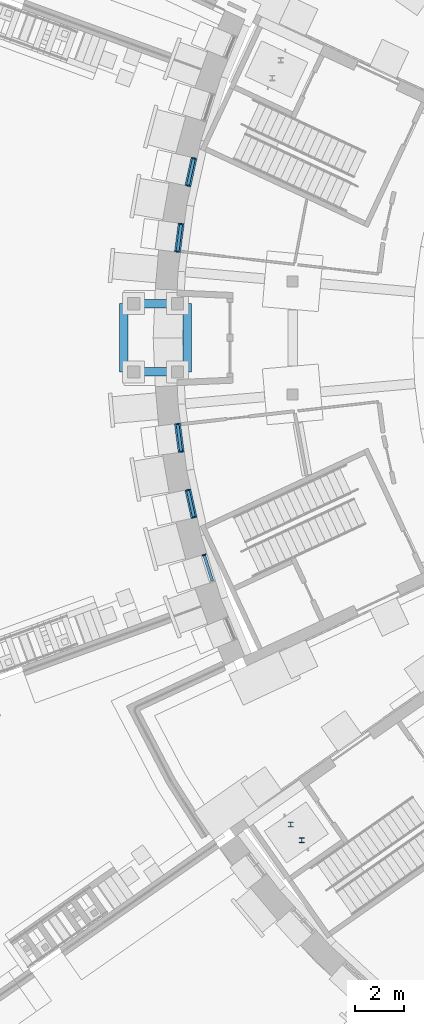
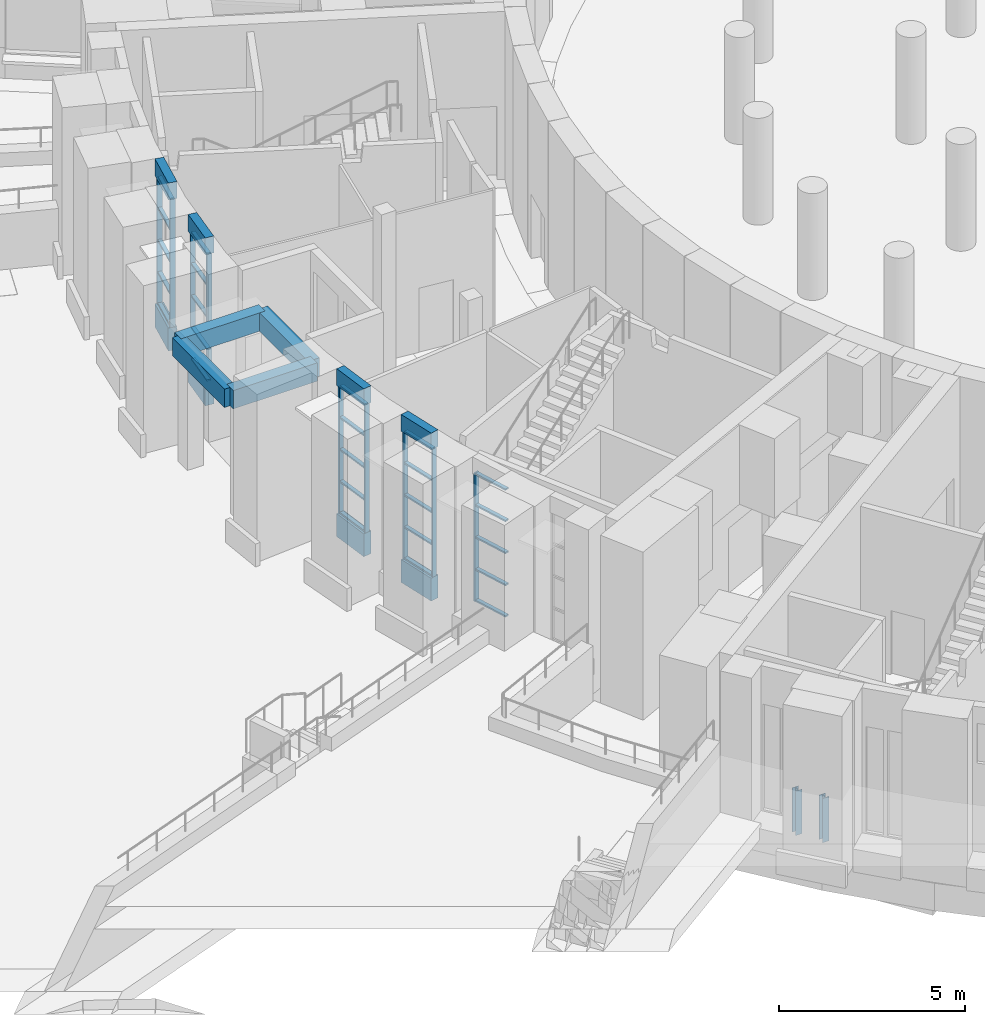
# One storey, part 12 of 65: 36 members, 12 beams, 5 elements without a shape of their own.
"""IFC4 building model written with IfcOpenShell, lengths in metres."""

from ifc_helpers import new_model, si_unit, direction, frame, origin, origin_2d, place, context, subcontext, project, spatial, rectangle, i_section, extrude, material, layer, layer_set, material_profile, profile_set, type_object, element, aggregate, save


model = new_model("IFC4")

# Units and contexts
model_context = context("Model", 3, precision=1e-05, world=origin(), true_north=direction((0.0, 1.0)))
body_context = subcontext(model_context, "Body", "Model", "MODEL_VIEW")
ifc_project = project(units=[si_unit("LENGTHUNIT", "METRE"), si_unit("AREAUNIT", "SQUARE_METRE"), si_unit("VOLUMEUNIT", "CUBIC_METRE"), si_unit("PLANEANGLEUNIT", "RADIAN"), si_unit("MASSUNIT", "GRAM", prefix="KILO")], contexts=[model_context])

# Site, building, storey
site_placement = place(None, origin())
site = spatial("IfcSite", under=ifc_project, at=site_placement, CompositionType="ELEMENT")
building_placement = place(site_placement, origin())
building = spatial("IfcBuilding", under=site, at=building_placement, Name="Volute Hill Aquarium", CompositionType="ELEMENT")
storey_placement = place(building_placement, frame((0.0, 0.0, -5.5)))
storey = spatial("IfcBuildingStorey", under=building, at=storey_placement, Name="L00", CompositionType="ELEMENT", Elevation=-5.5)

# Beams
ifc_material_1 = material(Name="Concrete C35/45", Category="concrete")
ifc_material_profile_1 = material_profile(ifc_material_1, rectangle(XDim=0.35009765625, YDim=0.60009765625, at=origin_2d()), Name="RC edge beam 350x600")
ifc_profile_set_1 = profile_set([ifc_material_profile_1], Name="Concrete C35/45")
beam_type_1 = type_object("IfcBeamType", Name="Canopy edge beam RC 350x600", PredefinedType="BEAM", material=ifc_profile_set_1)
for number, where, z_axis, x_axis, name in (
    (1, (-30.85009765625, 1.39990234375, 4.02001953125), (-1.0, 0.0, 0.0), (0.0, -1.0, 0.0), "cn/S1/L00/b0"),
    (2, (-30.85009765625, -1.39990234375, 4.02001953125), (-1.0, 0.0, 0.0), (0.0, -1.0, 0.0), "cn/S1/L00/b1"),
):
    element("IfcBeam", number, at=place(storey_placement, frame(where, z_axis=z_axis, x_axis=x_axis)), inside=storey, type_object=beam_type_1, Name=name, PredefinedType="BEAM", context=body_context, shape_type="SweptSolid", body=[
        extrude(rectangle(XDim=0.35009765625, YDim=0.60009765625, at=origin_2d()), origin(), (0.0, 0.0, 1.0), 2.599853515625),
    ])
for number, where, z_axis, x_axis, name in (
    (3, (-30.85009765625, 1.39990234375, 4.02001953125), (0.0, -1.0, 0.0), (1.0, 0.0, 0.0), "cn/S1/L00/xrear"),
    (4, (-33.449951171875, 1.39990234375, 4.02001953125), (0.0, -1.0, 0.0), (1.0, 0.0, 0.0), "cn/S1/L00/xfront"),
):
    element("IfcBeam", number, at=place(storey_placement, frame(where, z_axis=z_axis, x_axis=x_axis)), inside=storey, type_object=beam_type_1, Name=name, PredefinedType="BEAM", context=body_context, shape_type="SweptSolid", body=[
        extrude(rectangle(XDim=0.35009765625, YDim=0.60009765625, at=origin_2d()), origin(), (0.0, 0.0, 1.0), 2.7998046875),
    ])

# Curtain wall, members
ifc_material_2 = material(Name="Aluminium", Category="aluminium")
ifc_layer = layer(ifc_material_2, 0.25)
ifc_layer_set = layer_set([ifc_layer], Name="Curtain wall niche S1 module 1193")
curtain_wall_type = type_object("IfcCurtainWallType", Name="Curtain wall niche S1 module 1193", PredefinedType="NOTDEFINED", material=ifc_layer_set)
curtain_wall_1_placement = place(storey_placement, origin())
curtain_wall_1 = element("IfcCurtainWall", 5, at=curtain_wall_1_placement, inside=storey, type_object=curtain_wall_type, Name="Curtain wall CW S1 L00 3", PredefinedType="NOTDEFINED")
ifc_material_3 = material(Name="Aluminium", Category="aluminium")
ifc_material_profile_2 = material_profile(ifc_material_3, rectangle(XDim=0.14990234375, YDim=0.050048828125, at=origin_2d()), Name="Curtain wall mullion S1 50x150")
ifc_profile_set_2 = profile_set([ifc_material_profile_2], Name="Aluminium")
member_type_1 = type_object("IfcMemberType", Name="Curtain wall mullion S1 50x150", PredefinedType="MULLION", material=ifc_profile_set_2)
member_1_placement = place(storey_placement, frame((-30.57568359375, 7.36376953125, 0.75), z_axis=(0.0, 0.0, 1.0), x_axis=(0.976291877741, -0.216458239523, 0.0)))
member_1 = element("IfcMember", 6, at=member_1_placement, type_object=member_type_1, Name="CW mullion 1", PredefinedType="MULLION", context=body_context, shape_type="SweptSolid", body=[
    extrude(rectangle(XDim=0.14990234375, YDim=0.050048828125, at=origin_2d()), origin(), (0.0, 0.0, 1.0), 4.199951171875),
])
member_2_placement = place(storey_placement, frame((-30.822998046875, 6.247802734375, 0.75), z_axis=(0.0, 0.0, 1.0), x_axis=(0.976291877741, -0.216458239523, 0.0)))
member_2 = element("IfcMember", 7, at=member_2_placement, type_object=member_type_1, Name="CW mullion 2", PredefinedType="MULLION", context=body_context, shape_type="SweptSolid", body=[
    extrude(rectangle(XDim=0.14990234375, YDim=0.050048828125, at=origin_2d()), origin(), (0.0, 0.0, 1.0), 4.199951171875),
])

curtain_wall_2_placement = place(storey_placement, origin())
curtain_wall_2 = element("IfcCurtainWall", 8, at=curtain_wall_2_placement, inside=storey, type_object=curtain_wall_type, Name="Curtain wall CW S1 L00 4", PredefinedType="NOTDEFINED")
member_3_placement = place(storey_placement, frame((-31.10107421875, 4.6708984375, 0.75), z_axis=(0.0, 0.0, 1.0), x_axis=(0.991444135436, -0.130531706148, 0.0)))
member_3 = element("IfcMember", 9, at=member_3_placement, type_object=member_type_1, Name="CW mullion 1", PredefinedType="MULLION", context=body_context, shape_type="SweptSolid", body=[
    extrude(rectangle(XDim=0.14990234375, YDim=0.050048828125, at=origin_2d()), origin(), (0.0, 0.0, 1.0), 4.199951171875),
])
member_4_placement = place(storey_placement, frame((-31.250244140625, 3.53759765625, 0.75), z_axis=(0.0, 0.0, 1.0), x_axis=(0.991444135436, -0.130531706148, 0.0)))
member_4 = element("IfcMember", 10, at=member_4_placement, type_object=member_type_1, Name="CW mullion 2", PredefinedType="MULLION", context=body_context, shape_type="SweptSolid", body=[
    extrude(rectangle(XDim=0.14990234375, YDim=0.050048828125, at=origin_2d()), origin(), (0.0, 0.0, 1.0), 4.199951171875),
])

curtain_wall_3_placement = place(storey_placement, origin())
curtain_wall_3 = element("IfcCurtainWall", 11, at=curtain_wall_3_placement, inside=storey, type_object=curtain_wall_type, Name="Curtain wall CW S1 L00 7", PredefinedType="NOTDEFINED")
member_5_placement = place(storey_placement, frame((-31.250244140625, -3.537841796875, 0.75), z_axis=(0.0, 0.0, 1.0), x_axis=(0.991445220218, 0.130523466497, 0.0)))
member_5 = element("IfcMember", 12, at=member_5_placement, type_object=member_type_1, Name="CW mullion 1", PredefinedType="MULLION", context=body_context, shape_type="SweptSolid", body=[
    extrude(rectangle(XDim=0.14990234375, YDim=0.050048828125, at=origin_2d()), origin(), (0.0, 0.0, 1.0), 4.199951171875),
])
member_6_placement = place(storey_placement, frame((-31.10107421875, -4.671142578125, 0.75), z_axis=(0.0, 0.0, 1.0), x_axis=(0.991445220218, 0.130523466497, 0.0)))
member_6 = element("IfcMember", 13, at=member_6_placement, type_object=member_type_1, Name="CW mullion 2", PredefinedType="MULLION", context=body_context, shape_type="SweptSolid", body=[
    extrude(rectangle(XDim=0.14990234375, YDim=0.050048828125, at=origin_2d()), origin(), (0.0, 0.0, 1.0), 4.199951171875),
])

curtain_wall_4_placement = place(storey_placement, origin())
curtain_wall_4 = element("IfcCurtainWall", 14, at=curtain_wall_4_placement, inside=storey, type_object=curtain_wall_type, Name="Curtain wall CW S1 L00 8", PredefinedType="NOTDEFINED")
member_7_placement = place(storey_placement, frame((-30.822998046875, -6.248046875, 0.75), z_axis=(0.0, 0.0, 1.0), x_axis=(0.976292270498, 0.216456468061, 0.0)))
member_7 = element("IfcMember", 15, at=member_7_placement, type_object=member_type_1, Name="CW mullion 1", PredefinedType="MULLION", context=body_context, shape_type="SweptSolid", body=[
    extrude(rectangle(XDim=0.14990234375, YDim=0.050048828125, at=origin_2d()), origin(), (0.0, 0.0, 1.0), 4.199951171875),
])
member_8_placement = place(storey_placement, frame((-30.57568359375, -7.36376953125, 0.75), z_axis=(0.0, 0.0, 1.0), x_axis=(0.976292270498, 0.216456468061, 0.0)))
member_8 = element("IfcMember", 16, at=member_8_placement, type_object=member_type_1, Name="CW mullion 2", PredefinedType="MULLION", context=body_context, shape_type="SweptSolid", body=[
    extrude(rectangle(XDim=0.14990234375, YDim=0.050048828125, at=origin_2d()), origin(), (0.0, 0.0, 1.0), 4.199951171875),
])

# Curtain wall, member
curtain_wall_5_placement = place(storey_placement, origin())
curtain_wall_5 = element("IfcCurtainWall", 17, at=curtain_wall_5_placement, inside=storey, type_object=curtain_wall_type, Name="Curtain wall CW S1 L00 9", PredefinedType="NOTDEFINED")
member_9_placement = place(storey_placement, frame((-30.1611328125, -8.91064453125, 0.75), z_axis=(0.0, 0.0, 1.0), x_axis=(0.95371888454, 0.30069966623, 0.0)))
member_9 = element("IfcMember", 18, at=member_9_placement, type_object=member_type_1, Name="CW mullion 1", PredefinedType="MULLION", context=body_context, shape_type="SweptSolid", body=[
    extrude(rectangle(XDim=0.14990234375, YDim=0.050048828125, at=origin_2d()), origin(), (0.0, 0.0, 1.0), 4.199951171875),
])

# Member
ifc_material_4 = material(Name="Aluminium", Category="aluminium")
ifc_material_profile_3 = material_profile(ifc_material_4, rectangle(XDim=0.1201171875, YDim=0.050048828125, at=origin_2d()), Name="Curtain wall transom S1 50x120")
ifc_profile_set_3 = profile_set([ifc_material_profile_3], Name="Aluminium")
member_type_2 = type_object("IfcMemberType", Name="Curtain wall transom S1 50x120", PredefinedType="USERDEFINED", material=ifc_profile_set_3)
member_10_placement = place(storey_placement, frame((-30.5810546875, 7.33935546875, 0.77490234375), z_axis=(-0.216433786926, -0.976297298919, 0.0), x_axis=(0.976297298919, -0.216433786926, 0.0)))
member_10 = element("IfcMember", 19, at=member_10_placement, type_object=member_type_2, Name="CW transom 1.1", ObjectType="TRANSOM", PredefinedType="USERDEFINED", context=body_context, shape_type="SweptSolid", body=[
    extrude(rectangle(XDim=0.1201171875, YDim=0.050048828125, at=origin_2d()), origin(), (0.0, 0.0, 1.0), 1.093017578125),
])

member_11_placement = place(storey_placement, frame((-30.5810546875, 7.33935546875, 1.800048828125), z_axis=(-0.216433786926, -0.976297298919, 0.0), x_axis=(0.976297298919, -0.216433786926, 0.0)))
member_11 = element("IfcMember", 20, at=member_11_placement, type_object=member_type_2, Name="CW transom 1.2", ObjectType="TRANSOM", PredefinedType="USERDEFINED", context=body_context, shape_type="SweptSolid", body=[
    extrude(rectangle(XDim=0.1201171875, YDim=0.050048828125, at=origin_2d()), origin(), (0.0, 0.0, 1.0), 1.093017578125),
])

member_12_placement = place(storey_placement, frame((-30.5810546875, 7.33935546875, 2.85009765625), z_axis=(-0.216433786926, -0.976297298919, 0.0), x_axis=(0.976297298919, -0.216433786926, 0.0)))
member_12 = element("IfcMember", 21, at=member_12_placement, type_object=member_type_2, Name="CW transom 1.3", ObjectType="TRANSOM", PredefinedType="USERDEFINED", context=body_context, shape_type="SweptSolid", body=[
    extrude(rectangle(XDim=0.1201171875, YDim=0.050048828125, at=origin_2d()), origin(), (0.0, 0.0, 1.0), 1.093017578125),
])

member_13_placement = place(storey_placement, frame((-30.5810546875, 7.33935546875, 3.89990234375), z_axis=(-0.216433786926, -0.976297298919, 0.0), x_axis=(0.976297298919, -0.216433786926, 0.0)))
member_13 = element("IfcMember", 22, at=member_13_placement, type_object=member_type_2, Name="CW transom 1.4", ObjectType="TRANSOM", PredefinedType="USERDEFINED", context=body_context, shape_type="SweptSolid", body=[
    extrude(rectangle(XDim=0.1201171875, YDim=0.050048828125, at=origin_2d()), origin(), (0.0, 0.0, 1.0), 1.093017578125),
])

member_14_placement = place(storey_placement, frame((-30.5810546875, 7.33935546875, 4.925048828125), z_axis=(-0.216433786926, -0.976297298919, 0.0), x_axis=(0.976297298919, -0.216433786926, 0.0)))
member_14 = element("IfcMember", 23, at=member_14_placement, type_object=member_type_2, Name="CW transom 1.5", ObjectType="TRANSOM", PredefinedType="USERDEFINED", context=body_context, shape_type="SweptSolid", body=[
    extrude(rectangle(XDim=0.1201171875, YDim=0.050048828125, at=origin_2d()), origin(), (0.0, 0.0, 1.0), 1.093017578125),
])

aggregate(curtain_wall_1, [member_1, member_2, member_10, member_11, member_12, member_13, member_14])

member_15_placement = place(storey_placement, frame((-31.1044921875, 4.64599609375, 0.77490234375), z_axis=(-0.130466070399, -0.991452774707, 0.0), x_axis=(0.991452774707, -0.130466070399, 0.0)))
member_15 = element("IfcMember", 24, at=member_15_placement, type_object=member_type_2, Name="CW transom 1.1", ObjectType="TRANSOM", PredefinedType="USERDEFINED", context=body_context, shape_type="SweptSolid", body=[
    extrude(rectangle(XDim=0.1201171875, YDim=0.050048828125, at=origin_2d()), origin(), (0.0, 0.0, 1.0), 1.0927734375),
])

member_16_placement = place(storey_placement, frame((-31.1044921875, 4.64599609375, 1.800048828125), z_axis=(-0.130466070399, -0.991452774707, 0.0), x_axis=(0.991452774707, -0.130466070399, 0.0)))
member_16 = element("IfcMember", 25, at=member_16_placement, type_object=member_type_2, Name="CW transom 1.2", ObjectType="TRANSOM", PredefinedType="USERDEFINED", context=body_context, shape_type="SweptSolid", body=[
    extrude(rectangle(XDim=0.1201171875, YDim=0.050048828125, at=origin_2d()), origin(), (0.0, 0.0, 1.0), 1.0927734375),
])

member_17_placement = place(storey_placement, frame((-31.1044921875, 4.64599609375, 2.85009765625), z_axis=(-0.130466070399, -0.991452774707, 0.0), x_axis=(0.991452774707, -0.130466070399, 0.0)))
member_17 = element("IfcMember", 26, at=member_17_placement, type_object=member_type_2, Name="CW transom 1.3", ObjectType="TRANSOM", PredefinedType="USERDEFINED", context=body_context, shape_type="SweptSolid", body=[
    extrude(rectangle(XDim=0.1201171875, YDim=0.050048828125, at=origin_2d()), origin(), (0.0, 0.0, 1.0), 1.0927734375),
])

member_18_placement = place(storey_placement, frame((-31.1044921875, 4.64599609375, 3.89990234375), z_axis=(-0.130466070399, -0.991452774707, 0.0), x_axis=(0.991452774707, -0.130466070399, 0.0)))
member_18 = element("IfcMember", 27, at=member_18_placement, type_object=member_type_2, Name="CW transom 1.4", ObjectType="TRANSOM", PredefinedType="USERDEFINED", context=body_context, shape_type="SweptSolid", body=[
    extrude(rectangle(XDim=0.1201171875, YDim=0.050048828125, at=origin_2d()), origin(), (0.0, 0.0, 1.0), 1.0927734375),
])

member_19_placement = place(storey_placement, frame((-31.1044921875, 4.64599609375, 4.925048828125), z_axis=(-0.130466070399, -0.991452774707, 0.0), x_axis=(0.991452774707, -0.130466070399, 0.0)))
member_19 = element("IfcMember", 28, at=member_19_placement, type_object=member_type_2, Name="CW transom 1.5", ObjectType="TRANSOM", PredefinedType="USERDEFINED", context=body_context, shape_type="SweptSolid", body=[
    extrude(rectangle(XDim=0.1201171875, YDim=0.050048828125, at=origin_2d()), origin(), (0.0, 0.0, 1.0), 1.0927734375),
])

aggregate(curtain_wall_2, [member_3, member_4, member_15, member_16, member_17, member_18, member_19])

member_20_placement = place(storey_placement, frame((-31.2470703125, -3.562744140625, 0.77490234375), z_axis=(0.130466070399, -0.991452774707, 0.0), x_axis=(0.991452774707, 0.130466070399, 0.0)))
member_20 = element("IfcMember", 29, at=member_20_placement, type_object=member_type_2, Name="CW transom 1.1", ObjectType="TRANSOM", PredefinedType="USERDEFINED", context=body_context, shape_type="SweptSolid", body=[
    extrude(rectangle(XDim=0.1201171875, YDim=0.050048828125, at=origin_2d()), origin(), (0.0, 0.0, 1.0), 1.0927734375),
])

member_21_placement = place(storey_placement, frame((-31.2470703125, -3.562744140625, 1.800048828125), z_axis=(0.130466070399, -0.991452774707, 0.0), x_axis=(0.991452774707, 0.130466070399, 0.0)))
member_21 = element("IfcMember", 30, at=member_21_placement, type_object=member_type_2, Name="CW transom 1.2", ObjectType="TRANSOM", PredefinedType="USERDEFINED", context=body_context, shape_type="SweptSolid", body=[
    extrude(rectangle(XDim=0.1201171875, YDim=0.050048828125, at=origin_2d()), origin(), (0.0, 0.0, 1.0), 1.0927734375),
])

member_22_placement = place(storey_placement, frame((-31.2470703125, -3.562744140625, 2.85009765625), z_axis=(0.130466070399, -0.991452774707, 0.0), x_axis=(0.991452774707, 0.130466070399, 0.0)))
member_22 = element("IfcMember", 31, at=member_22_placement, type_object=member_type_2, Name="CW transom 1.3", ObjectType="TRANSOM", PredefinedType="USERDEFINED", context=body_context, shape_type="SweptSolid", body=[
    extrude(rectangle(XDim=0.1201171875, YDim=0.050048828125, at=origin_2d()), origin(), (0.0, 0.0, 1.0), 1.0927734375),
])

member_23_placement = place(storey_placement, frame((-31.2470703125, -3.562744140625, 3.89990234375), z_axis=(0.130466070399, -0.991452774707, 0.0), x_axis=(0.991452774707, 0.130466070399, 0.0)))
member_23 = element("IfcMember", 32, at=member_23_placement, type_object=member_type_2, Name="CW transom 1.4", ObjectType="TRANSOM", PredefinedType="USERDEFINED", context=body_context, shape_type="SweptSolid", body=[
    extrude(rectangle(XDim=0.1201171875, YDim=0.050048828125, at=origin_2d()), origin(), (0.0, 0.0, 1.0), 1.0927734375),
])

member_24_placement = place(storey_placement, frame((-31.2470703125, -3.562744140625, 4.925048828125), z_axis=(0.130466070399, -0.991452774707, 0.0), x_axis=(0.991452774707, 0.130466070399, 0.0)))
member_24 = element("IfcMember", 33, at=member_24_placement, type_object=member_type_2, Name="CW transom 1.5", ObjectType="TRANSOM", PredefinedType="USERDEFINED", context=body_context, shape_type="SweptSolid", body=[
    extrude(rectangle(XDim=0.1201171875, YDim=0.050048828125, at=origin_2d()), origin(), (0.0, 0.0, 1.0), 1.0927734375),
])

aggregate(curtain_wall_3, [member_5, member_6, member_20, member_21, member_22, member_23, member_24])

member_25_placement = place(storey_placement, frame((-30.817626953125, -6.2724609375, 0.77490234375), z_axis=(0.216480993318, -0.976286832612, 0.0), x_axis=(0.976286832612, 0.216480993318, 0.0)))
member_25 = element("IfcMember", 34, at=member_25_placement, type_object=member_type_2, Name="CW transom 1.1", ObjectType="TRANSOM", PredefinedType="USERDEFINED", context=body_context, shape_type="SweptSolid", body=[
    extrude(rectangle(XDim=0.1201171875, YDim=0.050048828125, at=origin_2d()), origin(), (0.0, 0.0, 1.0), 1.0927734375),
])

member_26_placement = place(storey_placement, frame((-30.817626953125, -6.2724609375, 1.800048828125), z_axis=(0.216480993318, -0.976286832612, 0.0), x_axis=(0.976286832612, 0.216480993318, 0.0)))
member_26 = element("IfcMember", 35, at=member_26_placement, type_object=member_type_2, Name="CW transom 1.2", ObjectType="TRANSOM", PredefinedType="USERDEFINED", context=body_context, shape_type="SweptSolid", body=[
    extrude(rectangle(XDim=0.1201171875, YDim=0.050048828125, at=origin_2d()), origin(), (0.0, 0.0, 1.0), 1.0927734375),
])

member_27_placement = place(storey_placement, frame((-30.817626953125, -6.2724609375, 2.85009765625), z_axis=(0.216480993318, -0.976286832612, 0.0), x_axis=(0.976286832612, 0.216480993318, 0.0)))
member_27 = element("IfcMember", 36, at=member_27_placement, type_object=member_type_2, Name="CW transom 1.3", ObjectType="TRANSOM", PredefinedType="USERDEFINED", context=body_context, shape_type="SweptSolid", body=[
    extrude(rectangle(XDim=0.1201171875, YDim=0.050048828125, at=origin_2d()), origin(), (0.0, 0.0, 1.0), 1.0927734375),
])

member_28_placement = place(storey_placement, frame((-30.817626953125, -6.2724609375, 3.89990234375), z_axis=(0.216480993318, -0.976286832612, 0.0), x_axis=(0.976286832612, 0.216480993318, 0.0)))
member_28 = element("IfcMember", 37, at=member_28_placement, type_object=member_type_2, Name="CW transom 1.4", ObjectType="TRANSOM", PredefinedType="USERDEFINED", context=body_context, shape_type="SweptSolid", body=[
    extrude(rectangle(XDim=0.1201171875, YDim=0.050048828125, at=origin_2d()), origin(), (0.0, 0.0, 1.0), 1.0927734375),
])

member_29_placement = place(storey_placement, frame((-30.817626953125, -6.2724609375, 4.925048828125), z_axis=(0.216480993318, -0.976286832612, 0.0), x_axis=(0.976286832612, 0.216480993318, 0.0)))
member_29 = element("IfcMember", 38, at=member_29_placement, type_object=member_type_2, Name="CW transom 1.5", ObjectType="TRANSOM", PredefinedType="USERDEFINED", context=body_context, shape_type="SweptSolid", body=[
    extrude(rectangle(XDim=0.1201171875, YDim=0.050048828125, at=origin_2d()), origin(), (0.0, 0.0, 1.0), 1.0927734375),
])

aggregate(curtain_wall_4, [member_7, member_8, member_25, member_26, member_27, member_28, member_29])

member_30_placement = place(storey_placement, frame((-30.153564453125, -8.934326171875, 0.77490234375), z_axis=(0.300639603165, -0.953737819848, 0.0), x_axis=(0.953737819848, 0.300639603165, 0.0)))
member_30 = element("IfcMember", 39, at=member_30_placement, type_object=member_type_2, Name="CW transom 1.1", ObjectType="TRANSOM", PredefinedType="USERDEFINED", context=body_context, shape_type="SweptSolid", body=[
    extrude(rectangle(XDim=0.1201171875, YDim=0.050048828125, at=origin_2d()), origin(), (0.0, 0.0, 1.0), 1.093017578125),
])

member_31_placement = place(storey_placement, frame((-30.153564453125, -8.934326171875, 1.800048828125), z_axis=(0.300639603165, -0.953737819848, 0.0), x_axis=(0.953737819848, 0.300639603165, 0.0)))
member_31 = element("IfcMember", 40, at=member_31_placement, type_object=member_type_2, Name="CW transom 1.2", ObjectType="TRANSOM", PredefinedType="USERDEFINED", context=body_context, shape_type="SweptSolid", body=[
    extrude(rectangle(XDim=0.1201171875, YDim=0.050048828125, at=origin_2d()), origin(), (0.0, 0.0, 1.0), 1.093017578125),
])

member_32_placement = place(storey_placement, frame((-30.153564453125, -8.934326171875, 2.85009765625), z_axis=(0.300639603165, -0.953737819848, 0.0), x_axis=(0.953737819848, 0.300639603165, 0.0)))
member_32 = element("IfcMember", 41, at=member_32_placement, type_object=member_type_2, Name="CW transom 1.3", ObjectType="TRANSOM", PredefinedType="USERDEFINED", context=body_context, shape_type="SweptSolid", body=[
    extrude(rectangle(XDim=0.1201171875, YDim=0.050048828125, at=origin_2d()), origin(), (0.0, 0.0, 1.0), 1.093017578125),
])

member_33_placement = place(storey_placement, frame((-30.153564453125, -8.934326171875, 3.89990234375), z_axis=(0.300639603165, -0.953737819848, 0.0), x_axis=(0.953737819848, 0.300639603165, 0.0)))
member_33 = element("IfcMember", 42, at=member_33_placement, type_object=member_type_2, Name="CW transom 1.4", ObjectType="TRANSOM", PredefinedType="USERDEFINED", context=body_context, shape_type="SweptSolid", body=[
    extrude(rectangle(XDim=0.1201171875, YDim=0.050048828125, at=origin_2d()), origin(), (0.0, 0.0, 1.0), 1.093017578125),
])

member_34_placement = place(storey_placement, frame((-30.153564453125, -8.934326171875, 4.925048828125), z_axis=(0.300639603165, -0.953737819848, 0.0), x_axis=(0.953737819848, 0.300639603165, 0.0)))
member_34 = element("IfcMember", 43, at=member_34_placement, type_object=member_type_2, Name="CW transom 1.5", ObjectType="TRANSOM", PredefinedType="USERDEFINED", context=body_context, shape_type="SweptSolid", body=[
    extrude(rectangle(XDim=0.1201171875, YDim=0.050048828125, at=origin_2d()), origin(), (0.0, 0.0, 1.0), 1.093017578125),
])

aggregate(curtain_wall_5, [member_9, member_30, member_31, member_32, member_33, member_34])

# Members
ifc_material_5 = material(Name="Steel S355", Category="steel")
ifc_material_profile_4 = material_profile(ifc_material_5, i_section(OverallWidth=0.199951171875, OverallDepth=0.199951171875, WebThickness=0.009033203125, FlangeThickness=0.014892578125, at=origin_2d()), Name="HEB 200")
ifc_profile_set_4 = profile_set([ifc_material_profile_4], Name="Steel S355")
member_type_3 = type_object("IfcMemberType", Name="Lift buffer HEB 200", PredefinedType="POST", material=ifc_profile_set_4)
for number, where, z_axis, x_axis, name in (
    (44, (-26.60595703125, -19.972412109375, -1.39990234375), (0.0, 0.0, 1.0), (1.0, 0.0, 0.0), "LB-S2-A 1"),
    (45, (-26.14697265625, -20.627685546875, -1.39990234375), (0.0, 0.0, 1.0), (1.0, 0.0, 0.0), "LB-S2-A 2"),
):
    element("IfcMember", number, at=place(storey_placement, frame(where, z_axis=z_axis, x_axis=x_axis)), inside=storey, type_object=member_type_3, Name=name, PredefinedType="POST", context=body_context, shape_type="SweptSolid", body=[
        extrude(i_section(OverallWidth=0.199951171875, OverallDepth=0.199951171875, WebThickness=0.009033203125, FlangeThickness=0.014892578125, at=origin_2d()), origin(), (0.0, 0.0, 1.0), 1.449951171875),
    ])

# Beams
ifc_material_6 = material(Name="Concrete C35/45", Category="concrete")
ifc_material_profile_5 = material_profile(ifc_material_6, rectangle(XDim=0.25, YDim=0.550048828125, at=origin_2d()), Name="RC beam 250x550")
ifc_profile_set_5 = profile_set([ifc_material_profile_5], Name="Concrete C35/45")
beam_type_2 = type_object("IfcBeamType", Name="Niche head beam RC 250x550 C35/45", PredefinedType="BEAM", material=ifc_profile_set_5)
beam_1_placement = place(storey_placement, frame((-30.5703125, 7.38818359375, 5.22509765625), z_axis=(-0.216302054747, -0.976326493091, 0.0), x_axis=(0.976326493091, -0.216302054747, 0.0)))
element("IfcBeam", 46, at=beam_1_placement, inside=storey, type_object=beam_type_2, Name="Niche head beam OWB S1 L00 3", PredefinedType="BEAM", context=body_context, shape_type="SweptSolid", body=[
    extrude(rectangle(XDim=0.25, YDim=0.550048828125, at=origin_2d()), origin(), (0.0, 0.0, 1.0), 1.193115234375),
])
for number, where, z_axis, x_axis, name in (
    (47, (-31.097900390625, 4.695556640625, 5.22509765625), (-0.13058157894, -0.991437568, 0.0), (0.991437568, -0.13058157894, 0.0), "Niche head beam OWB S1 L00 4"),
    (48, (-31.253662109375, -3.51318359375, 5.22509765625), (0.13058157894, -0.991437568, 0.0), (0.991437568, 0.13058157894, 0.0), "Niche head beam OWB S1 L00 7"),
    (49, (-30.828369140625, -6.2236328125, 5.22509765625), (0.216345278853, -0.976316915923, 0.0), (0.976316915923, 0.216345278853, 0.0), "Niche head beam OWB S1 L00 8"),
):
    element("IfcBeam", number, at=place(storey_placement, frame(where, z_axis=z_axis, x_axis=x_axis)), inside=storey, type_object=beam_type_2, Name=name, PredefinedType="BEAM", context=body_context, shape_type="SweptSolid", body=[
        extrude(rectangle(XDim=0.25, YDim=0.550048828125, at=origin_2d()), origin(), (0.0, 0.0, 1.0), 1.19287109375),
    ])
ifc_material_7 = material(Name="Concrete C35/45", Category="concrete")
ifc_material_profile_6 = material_profile(ifc_material_7, rectangle(XDim=0.25, YDim=0.75, at=origin_2d()), Name="RC beam 250x750")
ifc_profile_set_6 = profile_set([ifc_material_profile_6], Name="Concrete C35/45")
beam_type_3 = type_object("IfcBeamType", Name="Niche sill beam RC 250x750 C35/45", PredefinedType="BEAM", material=ifc_profile_set_6)
beam_2_placement = place(storey_placement, frame((-30.5703125, 7.38818359375, 0.375), z_axis=(-0.216302054747, -0.976326493091, 0.0), x_axis=(0.976326493091, -0.216302054747, 0.0)))
element("IfcBeam", 50, at=beam_2_placement, inside=storey, type_object=beam_type_3, Name="Niche sill beam OWB S1 L00 3", PredefinedType="BEAM", context=body_context, shape_type="SweptSolid", body=[
    extrude(rectangle(XDim=0.25, YDim=0.75, at=origin_2d()), origin(), (0.0, 0.0, 1.0), 1.193115234375),
])
for number, where, z_axis, x_axis, name in (
    (51, (-31.097900390625, 4.695556640625, 0.375), (-0.13058157894, -0.991437568, 0.0), (0.991437568, -0.13058157894, 0.0), "Niche sill beam OWB S1 L00 4"),
    (52, (-31.253662109375, -3.51318359375, 0.375), (0.13058157894, -0.991437568, 0.0), (0.991437568, 0.13058157894, 0.0), "Niche sill beam OWB S1 L00 7"),
    (53, (-30.828369140625, -6.2236328125, 0.375), (0.216345278853, -0.976316915923, 0.0), (0.976316915923, 0.216345278853, 0.0), "Niche sill beam OWB S1 L00 8"),
):
    element("IfcBeam", number, at=place(storey_placement, frame(where, z_axis=z_axis, x_axis=x_axis)), inside=storey, type_object=beam_type_3, Name=name, PredefinedType="BEAM", context=body_context, shape_type="SweptSolid", body=[
        extrude(rectangle(XDim=0.25, YDim=0.75, at=origin_2d()), origin(), (0.0, 0.0, 1.0), 1.19287109375),
    ])

save(model, "model.ifc")
